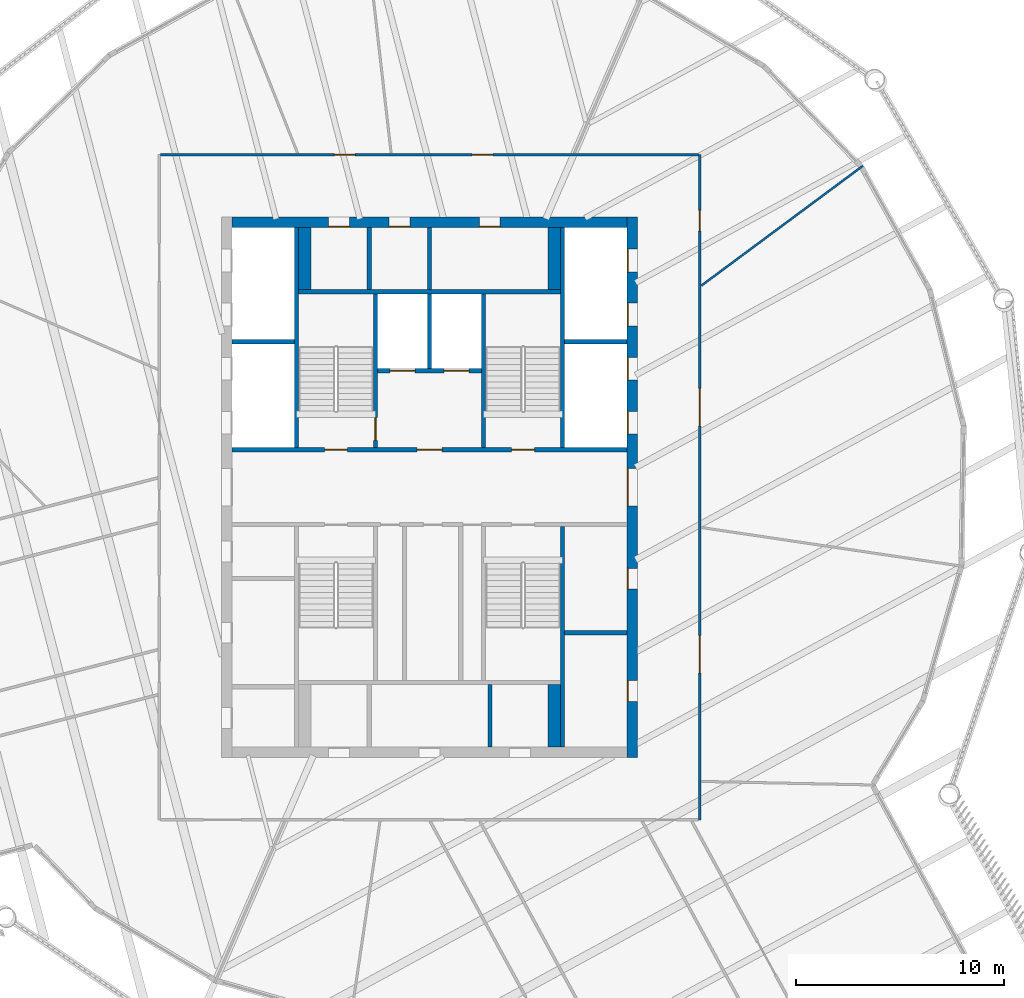
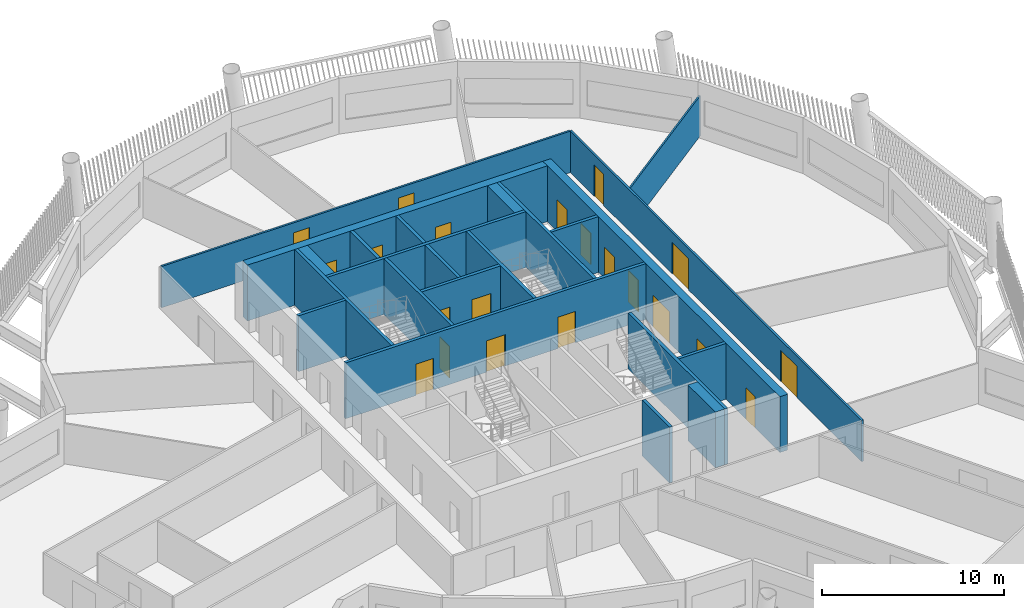
# One storey, part 5 of 14: 23 walls, 21 doors, 21 openings.
"""IFC4 building model written with IfcOpenShell, lengths in metres."""

from ifc_helpers import new_model, si_unit, direction, frame, frame_2d, origin, place, context, subcontext, project, spatial, rectangle, extrude, material, layer, layer_set, type_object, element, fill, save


model = new_model("IFC4")

# Units and contexts
model_context = context("Model", 3, precision=1e-05, world=origin(), true_north=direction((0.0, 1.0)))
body_context = subcontext(model_context, "Body", "Model", "MODEL_VIEW")
ifc_project = project(units=[si_unit("LENGTHUNIT", "METRE"), si_unit("AREAUNIT", "SQUARE_METRE"), si_unit("VOLUMEUNIT", "CUBIC_METRE"), si_unit("PLANEANGLEUNIT", "RADIAN"), si_unit("MASSUNIT", "GRAM", prefix="KILO")], contexts=[model_context])

# Site, building, storey
site_placement = place(None, origin())
site = spatial("IfcSite", under=ifc_project, at=site_placement, CompositionType="ELEMENT")
building_placement = place(site_placement, origin())
building = spatial("IfcBuilding", under=site, at=building_placement, Name="Tarsis Ring Headquarters", CompositionType="ELEMENT")
storey_placement = place(building_placement, frame((0.0, 0.0, 343.10009765625)))
storey = spatial("IfcBuildingStorey", under=building, at=storey_placement, Name="L81", CompositionType="ELEMENT", Elevation=343.10009765625)

# Walls
ifc_material_1 = material(Name="Blockwork", Category="masonry")
ifc_layer_1 = layer(ifc_material_1, 0.199951171875)
ifc_layer_set_1 = layer_set([ifc_layer_1], Name="Core blockwork wall 200")
wall_type_1 = type_object("IfcWallType", Name="Core blockwork wall 200", PredefinedType="PARTITIONING", material=ifc_layer_set_1)
for number, where, z_axis, x_axis, name in (
    (1, (6.5, -7.0, 0.0), (0.0, 0.0, 1.0), (1.0, 0.0, 0.0), "Core partition ED2"),
    (2, (-2.89990234375, 9.5, 0.0), (0.0, 0.0, 1.0), (0.0, 1.0, 0.0), "Core partition ND1"),
    (3, (0.0, 9.5, 0.0), (0.0, 0.0, 1.0), (0.0, 1.0, 0.0), "Core partition ND2"),
    (4, (2.89990234375, -12.5, 0.0), (0.0, 0.0, 1.0), (0.0, 1.0, 0.0), "Core partition SD3"),
):
    element("IfcWall", number, at=place(storey_placement, frame(where, z_axis=z_axis, x_axis=x_axis)), inside=storey, type_object=wall_type_1, Name=name, PredefinedType="PARTITIONING", context=body_context, shape_type="SweptSolid", body=[
        extrude(rectangle(XDim=3.0, YDim=0.199951171875, at=frame_2d((1.5, 0.0))), origin(), (0.0, 0.0, 1.0), 3.739990234375),
    ])

# Wall, openings, doors
ifc_material_2 = material(Name="Concrete C50/60", Category="concrete")
ifc_layer_2 = layer(ifc_material_2, 0.5)
ifc_layer_set_2 = layer_set([ifc_layer_2], Name="Core wall 500 C50/60")
wall_type_2 = type_object("IfcWallType", Name="Core wall 500 C50/60", PredefinedType="SHEAR", material=ifc_layer_set_2)
wall_1_placement = place(storey_placement, frame((9.75, -13.0, 0.0), z_axis=(0.0, 0.0, 1.0), x_axis=(0.0, 1.0, 0.0)))
wall_1 = element("IfcWall", 5, at=wall_1_placement, inside=storey, type_object=wall_type_2, Name="Core wall OE", PredefinedType="SHEAR", context=body_context, shape_type="SweptSolid", body=[
    extrude(rectangle(XDim=26.0, YDim=0.5, at=frame_2d((13.0, 0.0))), origin(), (0.0, 0.0, 1.0), 3.739990234375),
])
opening_1_placement = place(wall_1_placement, frame((2.699951171875, 0.0, 0.0)))
opening_1 = element("IfcOpeningElement", 6, at=opening_1_placement, cuts=wall_1, Name="Opening L81-C09", PredefinedType="OPENING", context=body_context, shape_type="SweptSolid", body=[
    extrude(rectangle(XDim=1.0, YDim=2.10009765625, at=frame_2d((0.5, 1.050048828125))), frame((0.0, 0.260009765625, 0.0), z_axis=(0.0, -1.0, 0.0), x_axis=(1.0, 0.0, 0.0)), (0.0, 0.0, 1.0), 0.52001953125),
])
opening_2_placement = place(wall_1_placement, frame((8.10009765625, 0.0, 0.0)))
opening_2 = element("IfcOpeningElement", 7, at=opening_2_placement, cuts=wall_1, Name="Opening L81-C10", PredefinedType="OPENING", context=body_context, shape_type="SweptSolid", body=[
    extrude(rectangle(XDim=1.0, YDim=2.10009765625, at=frame_2d((0.5, 1.050048828125))), frame((0.0, 0.260009765625, 0.0), z_axis=(0.0, -1.0, 0.0), x_axis=(1.0, 0.0, 0.0)), (0.0, 0.0, 1.0), 0.52001953125),
])
opening_3_placement = place(wall_1_placement, frame((12.10009765625, 0.0, 0.0)))
opening_3 = element("IfcOpeningElement", 8, at=opening_3_placement, cuts=wall_1, Name="Opening L81-C11", PredefinedType="OPENING", context=body_context, shape_type="SweptSolid", body=[
    extrude(rectangle(XDim=1.800048828125, YDim=2.10009765625, at=frame_2d((0.89990234375, 1.050048828125))), frame((0.0, 0.260009765625, 0.0), z_axis=(0.0, -1.0, 0.0), x_axis=(1.0, 0.0, 0.0)), (0.0, 0.0, 1.0), 0.52001953125),
])
opening_4_placement = place(wall_1_placement, frame((15.550048828125, 0.0, 0.0)))
opening_4 = element("IfcOpeningElement", 9, at=opening_4_placement, cuts=wall_1, Name="Opening LD-HR5", PredefinedType="OPENING", context=body_context, shape_type="SweptSolid", body=[
    extrude(rectangle(XDim=1.10009765625, YDim=2.10009765625, at=frame_2d((0.550048828125, 1.050048828125))), frame((0.0, 0.260009765625, 0.0), z_axis=(0.0, -1.0, 0.0), x_axis=(1.0, 0.0, 0.0)), (0.0, 0.0, 1.0), 0.52001953125),
])
opening_5_placement = place(wall_1_placement, frame((18.14990234375, 0.0, 0.0)))
opening_5 = element("IfcOpeningElement", 10, at=opening_5_placement, cuts=wall_1, Name="Opening LD-HR6", PredefinedType="OPENING", context=body_context, shape_type="SweptSolid", body=[
    extrude(rectangle(XDim=1.10009765625, YDim=2.10009765625, at=frame_2d((0.550048828125, 1.050048828125))), frame((0.0, 0.260009765625, 0.0), z_axis=(0.0, -1.0, 0.0), x_axis=(1.0, 0.0, 0.0)), (0.0, 0.0, 1.0), 0.52001953125),
])
opening_6_placement = place(wall_1_placement, frame((20.75, 0.0, 0.0)))
opening_6 = element("IfcOpeningElement", 11, at=opening_6_placement, cuts=wall_1, Name="Opening LD-HR7", PredefinedType="OPENING", context=body_context, shape_type="SweptSolid", body=[
    extrude(rectangle(XDim=1.10009765625, YDim=2.10009765625, at=frame_2d((0.550048828125, 1.050048828125))), frame((0.0, 0.260009765625, 0.0), z_axis=(0.0, -1.0, 0.0), x_axis=(1.0, 0.0, 0.0)), (0.0, 0.0, 1.0), 0.52001953125),
])
opening_7_placement = place(wall_1_placement, frame((23.35009765625, 0.0, 0.0)))
opening_7 = element("IfcOpeningElement", 12, at=opening_7_placement, cuts=wall_1, Name="Opening LD-HR8", PredefinedType="OPENING", context=body_context, shape_type="SweptSolid", body=[
    extrude(rectangle(XDim=1.10009765625, YDim=2.10009765625, at=frame_2d((0.550048828125, 1.050048828125))), frame((0.0, 0.260009765625, 0.0), z_axis=(0.0, -1.0, 0.0), x_axis=(1.0, 0.0, 0.0)), (0.0, 0.0, 1.0), 0.52001953125),
])
ifc_material_3 = material(Name="Steel S355", Category="steel")
door_type_1 = type_object("IfcDoorType", Name="Core entry door 1800x2100", OperationType="DOUBLE_DOOR_SINGLE_SWING", PredefinedType="DOOR", material=ifc_material_3)
door_1_placement = place(opening_3_placement, origin())
door_1 = element("IfcDoor", 13, at=door_1_placement, inside=storey, type_object=door_type_1, Name="Core entry door L81", OperationType="DOUBLE_DOOR_SINGLE_SWING", OverallHeight=2.10009765625, OverallWidth=1.800048828125, PredefinedType="DOOR", context=body_context, shape_type="SweptSolid", body=[
    extrude(rectangle(XDim=1.800048828125, YDim=2.10009765625, at=frame_2d((0.89990234375, 1.050048828125))), frame((0.0, 0.25, 0.0), z_axis=(0.0, -1.0, 0.0), x_axis=(1.0, 0.0, 0.0)), (0.0, 0.0, 1.0), 0.050048828125),
])
fill(opening_3, door_1)
door_type_2 = type_object("IfcDoorType", Name="Core room door 1000x2100", OperationType="SINGLE_SWING_LEFT", PredefinedType="DOOR", material=ifc_material_3)
door_2_placement = place(opening_1_placement, origin())
door_2 = element("IfcDoor", 14, at=door_2_placement, inside=storey, type_object=door_type_2, Name="Core room door L81", OperationType="SINGLE_SWING_LEFT", OverallHeight=2.10009765625, OverallWidth=1.0, PredefinedType="DOOR", context=body_context, shape_type="SweptSolid", body=[
    extrude(rectangle(XDim=1.0, YDim=2.10009765625, at=frame_2d((0.5, 1.050048828125))), frame((0.0, 0.25, 0.0), z_axis=(0.0, -1.0, 0.0), x_axis=(1.0, 0.0, 0.0)), (0.0, 0.0, 1.0), 0.050048828125),
])
fill(opening_1, door_2)
door_3_placement = place(opening_2_placement, origin())
door_3 = element("IfcDoor", 15, at=door_3_placement, inside=storey, type_object=door_type_2, Name="Core room door L81", OperationType="SINGLE_SWING_LEFT", OverallHeight=2.10009765625, OverallWidth=1.0, PredefinedType="DOOR", context=body_context, shape_type="SweptSolid", body=[
    extrude(rectangle(XDim=1.0, YDim=2.10009765625, at=frame_2d((0.5, 1.050048828125))), frame((0.0, 0.25, 0.0), z_axis=(0.0, -1.0, 0.0), x_axis=(1.0, 0.0, 0.0)), (0.0, 0.0, 1.0), 0.050048828125),
])
fill(opening_2, door_3)
door_type_3 = type_object("IfcDoorType", Name="Landing door 1100x2100", OperationType="SLIDING_TO_LEFT", PredefinedType="DOOR", material=ifc_material_3)
door_4_placement = place(opening_4_placement, origin())
door_4 = element("IfcDoor", 16, at=door_4_placement, inside=storey, type_object=door_type_3, Name="Landing door HR5 L81", OperationType="SLIDING_TO_LEFT", OverallHeight=2.10009765625, OverallWidth=1.10009765625, PredefinedType="DOOR", context=body_context, shape_type="SweptSolid", body=[
    extrude(rectangle(XDim=1.10009765625, YDim=2.10009765625, at=frame_2d((0.550048828125, 1.050048828125))), frame((0.0, 0.25, 0.0), z_axis=(0.0, -1.0, 0.0), x_axis=(1.0, 0.0, 0.0)), (0.0, 0.0, 1.0), 0.050048828125),
])
fill(opening_4, door_4)
door_5_placement = place(opening_5_placement, origin())
door_5 = element("IfcDoor", 17, at=door_5_placement, inside=storey, type_object=door_type_3, Name="Landing door HR6 L81", OperationType="SLIDING_TO_LEFT", OverallHeight=2.10009765625, OverallWidth=1.10009765625, PredefinedType="DOOR", context=body_context, shape_type="SweptSolid", body=[
    extrude(rectangle(XDim=1.10009765625, YDim=2.10009765625, at=frame_2d((0.550048828125, 1.050048828125))), frame((0.0, 0.25, 0.0), z_axis=(0.0, -1.0, 0.0), x_axis=(1.0, 0.0, 0.0)), (0.0, 0.0, 1.0), 0.050048828125),
])
fill(opening_5, door_5)
door_6_placement = place(opening_6_placement, origin())
door_6 = element("IfcDoor", 18, at=door_6_placement, inside=storey, type_object=door_type_3, Name="Landing door HR7 L81", OperationType="SLIDING_TO_LEFT", OverallHeight=2.10009765625, OverallWidth=1.10009765625, PredefinedType="DOOR", context=body_context, shape_type="SweptSolid", body=[
    extrude(rectangle(XDim=1.10009765625, YDim=2.10009765625, at=frame_2d((0.550048828125, 1.050048828125))), frame((0.0, 0.25, 0.0), z_axis=(0.0, -1.0, 0.0), x_axis=(1.0, 0.0, 0.0)), (0.0, 0.0, 1.0), 0.050048828125),
])
fill(opening_6, door_6)
door_7_placement = place(opening_7_placement, origin())
door_7 = element("IfcDoor", 19, at=door_7_placement, inside=storey, type_object=door_type_3, Name="Landing door HR8 L81", OperationType="SLIDING_TO_LEFT", OverallHeight=2.10009765625, OverallWidth=1.10009765625, PredefinedType="DOOR", context=body_context, shape_type="SweptSolid", body=[
    extrude(rectangle(XDim=1.10009765625, YDim=2.10009765625, at=frame_2d((0.550048828125, 1.050048828125))), frame((0.0, 0.25, 0.0), z_axis=(0.0, -1.0, 0.0), x_axis=(1.0, 0.0, 0.0)), (0.0, 0.0, 1.0), 0.050048828125),
])
fill(opening_7, door_7)

wall_2_placement = place(storey_placement, frame((-9.5, 12.75, 0.0), z_axis=(0.0, 0.0, 1.0), x_axis=(1.0, 0.0, 0.0)))
wall_2 = element("IfcWall", 20, at=wall_2_placement, inside=storey, type_object=wall_type_2, Name="Core wall ON", PredefinedType="SHEAR", context=body_context, shape_type="SweptSolid", body=[
    extrude(rectangle(XDim=19.0, YDim=0.5, at=frame_2d((9.5, 0.0))), origin(), (0.0, 0.0, 1.0), 3.739990234375),
])
opening_8_placement = place(wall_2_placement, frame((4.64990234375, 0.0, 0.0)))
opening_8 = element("IfcOpeningElement", 21, at=opening_8_placement, cuts=wall_2, Name="Opening L81-C16", PredefinedType="OPENING", context=body_context, shape_type="SweptSolid", body=[
    extrude(rectangle(XDim=1.0, YDim=2.10009765625, at=frame_2d((0.5, 1.050048828125))), frame((0.0, 0.260009765625, 0.0), z_axis=(0.0, -1.0, 0.0), x_axis=(1.0, 0.0, 0.0)), (0.0, 0.0, 1.0), 0.52001953125),
])
opening_9_placement = place(wall_2_placement, frame((7.550048828125, 0.0, 0.0)))
opening_9 = element("IfcOpeningElement", 22, at=opening_9_placement, cuts=wall_2, Name="Opening L81-C17", PredefinedType="OPENING", context=body_context, shape_type="SweptSolid", body=[
    extrude(rectangle(XDim=1.0, YDim=2.10009765625, at=frame_2d((0.5, 1.050048828125))), frame((0.0, 0.260009765625, 0.0), z_axis=(0.0, -1.0, 0.0), x_axis=(1.0, 0.0, 0.0)), (0.0, 0.0, 1.0), 0.52001953125),
])
opening_10_placement = place(wall_2_placement, frame((11.89990234375, 0.0, 0.0)))
opening_10 = element("IfcOpeningElement", 23, at=opening_10_placement, cuts=wall_2, Name="Opening L81-C18", PredefinedType="OPENING", context=body_context, shape_type="SweptSolid", body=[
    extrude(rectangle(XDim=1.0, YDim=2.10009765625, at=frame_2d((0.5, 1.050048828125))), frame((0.0, 0.260009765625, 0.0), z_axis=(0.0, -1.0, 0.0), x_axis=(1.0, 0.0, 0.0)), (0.0, 0.0, 1.0), 0.52001953125),
])
door_8_placement = place(opening_8_placement, origin())
door_8 = element("IfcDoor", 24, at=door_8_placement, inside=storey, type_object=door_type_2, Name="Core room door L81", OperationType="SINGLE_SWING_LEFT", OverallHeight=2.10009765625, OverallWidth=1.0, PredefinedType="DOOR", context=body_context, shape_type="SweptSolid", body=[
    extrude(rectangle(XDim=1.0, YDim=2.10009765625, at=frame_2d((0.5, 1.050048828125))), frame((0.0, -0.2001953125, 0.0), z_axis=(0.0, -1.0, 0.0), x_axis=(1.0, 0.0, 0.0)), (0.0, 0.0, 1.0), 0.050048828125),
])
fill(opening_8, door_8)
door_9_placement = place(opening_9_placement, origin())
door_9 = element("IfcDoor", 25, at=door_9_placement, inside=storey, type_object=door_type_2, Name="Core room door L81", OperationType="SINGLE_SWING_LEFT", OverallHeight=2.10009765625, OverallWidth=1.0, PredefinedType="DOOR", context=body_context, shape_type="SweptSolid", body=[
    extrude(rectangle(XDim=1.0, YDim=2.10009765625, at=frame_2d((0.5, 1.050048828125))), frame((0.0, -0.2001953125, 0.0), z_axis=(0.0, -1.0, 0.0), x_axis=(1.0, 0.0, 0.0)), (0.0, 0.0, 1.0), 0.050048828125),
])
fill(opening_9, door_9)
door_10_placement = place(opening_10_placement, origin())
door_10 = element("IfcDoor", 26, at=door_10_placement, inside=storey, type_object=door_type_2, Name="Core room door L81", OperationType="SINGLE_SWING_LEFT", OverallHeight=2.10009765625, OverallWidth=1.0, PredefinedType="DOOR", context=body_context, shape_type="SweptSolid", body=[
    extrude(rectangle(XDim=1.0, YDim=2.10009765625, at=frame_2d((0.5, 1.050048828125))), frame((0.0, -0.2001953125, 0.0), z_axis=(0.0, -1.0, 0.0), x_axis=(1.0, 0.0, 0.0)), (0.0, 0.0, 1.0), 0.050048828125),
])
fill(opening_10, door_10)

# Wall
ifc_material_4 = material(Name="Gypsum board on steel studs", Category="steel")
ifc_layer_3 = layer(ifc_material_4, 0.10009765625)
ifc_layer_set_3 = layer_set([ifc_layer_3], Name="FL partition 100 unrated")
wall_type_3 = type_object("IfcWallType", Name="FL partition 100 unrated", PredefinedType="PARTITIONING", material=ifc_layer_set_3)
wall_3_placement = place(storey_placement, frame((13.080322265625, 9.7001953125, 0.0), z_axis=(0.0, 0.0, 1.0), x_axis=(0.803235283199, 0.59566188381, 0.0)))
element("IfcWall", 27, at=wall_3_placement, inside=storey, type_object=wall_type_3, Name="Partition PW3", PredefinedType="PARTITIONING", context=body_context, shape_type="SweptSolid", body=[
    extrude(rectangle(XDim=9.663330078125, YDim=0.10009765625, at=frame_2d((4.83154296875, 0.0))), origin(), (0.0, 0.0, 1.0), 2.699951171875),
])

# Wall, openings, doors
ifc_layer_4 = layer(ifc_material_4, 0.125)
ifc_layer_set_4 = layer_set([ifc_layer_4], Name="FL partition 125 EI 60 H2770")
wall_type_4 = type_object("IfcWallType", Name="FL partition 125 EI 60 H2770", PredefinedType="PARTITIONING", material=ifc_layer_set_4)
wall_4_placement = place(storey_placement, frame((13.0, -16.0, 0.0), z_axis=(0.0, 0.0, 1.0), x_axis=(0.0, 1.0, 0.0)))
wall_4 = element("IfcWall", 28, at=wall_4_placement, inside=storey, type_object=wall_type_4, Name="Partition PW1", PredefinedType="PARTITIONING", context=body_context, shape_type="SweptSolid", body=[
    extrude(rectangle(XDim=32.0, YDim=0.125, at=frame_2d((16.0, 0.0))), origin(), (0.0, 0.0, 1.0), 2.77001953125),
])
opening_11_placement = place(wall_4_placement, frame((28.3203125, 0.0, 0.0)))
opening_11 = element("IfcOpeningElement", 29, at=opening_11_placement, cuts=wall_4, Name="Opening D81.07", PredefinedType="OPENING", context=body_context, shape_type="SweptSolid", body=[
    extrude(rectangle(XDim=1.0, YDim=2.10009765625, at=frame_2d((0.5, 1.050048828125))), frame((0.0, 0.072509765625, 0.0), z_axis=(0.0, -1.0, 0.0), x_axis=(1.0, 0.0, 0.0)), (0.0, 0.0, 1.0), 0.14501953125),
])
opening_12_placement = place(wall_4_placement, frame((18.955810546875, 0.0, 0.0)))
opening_12 = element("IfcOpeningElement", 30, at=opening_12_placement, cuts=wall_4, Name="Opening D81.08", PredefinedType="OPENING", context=body_context, shape_type="SweptSolid", body=[
    extrude(rectangle(XDim=1.800048828125, YDim=2.10009765625, at=frame_2d((0.89990234375, 1.050048828125))), frame((0.0, 0.072509765625, 0.0), z_axis=(0.0, -1.0, 0.0), x_axis=(1.0, 0.0, 0.0)), (0.0, 0.0, 1.0), 0.14501953125),
])
opening_13_placement = place(wall_4_placement, frame((7.0576171875, 0.0, 0.0)))
opening_13 = element("IfcOpeningElement", 31, at=opening_13_placement, cuts=wall_4, Name="Opening D81.09", PredefinedType="OPENING", context=body_context, shape_type="SweptSolid", body=[
    extrude(rectangle(XDim=1.800048828125, YDim=2.10009765625, at=frame_2d((0.89990234375, 1.050048828125))), frame((0.0, 0.072509765625, 0.0), z_axis=(0.0, -1.0, 0.0), x_axis=(1.0, 0.0, 0.0)), (0.0, 0.0, 1.0), 0.14501953125),
])
ifc_material_5 = material(Name="Fire-rated timber door leaf in steel frame", Category="steel")
door_type_4 = type_object("IfcDoorType", Name="FL door FD60-1000", OperationType="NOTDEFINED", PredefinedType="DOOR", material=ifc_material_5)
door_11_placement = place(opening_11_placement, origin())
door_11 = element("IfcDoor", 32, at=door_11_placement, inside=storey, type_object=door_type_4, Name="Door D81.07", OperationType="SINGLE_SWING_RIGHT", OverallHeight=2.10009765625, OverallWidth=1.0, PredefinedType="DOOR", context=body_context, shape_type="SweptSolid", body=[
    extrude(rectangle(XDim=1.0, YDim=2.10009765625, at=frame_2d((0.5, 1.050048828125))), frame((0.0, 0.02490234375, 0.0), z_axis=(0.0, -1.0, 0.0), x_axis=(1.0, 0.0, 0.0)), (0.0, 0.0, 1.0), 0.050048828125),
])
fill(opening_11, door_11)
door_type_5 = type_object("IfcDoorType", Name="FL door FD60-1800", OperationType="DOUBLE_DOOR_SINGLE_SWING", PredefinedType="DOOR", material=ifc_material_5)
door_12_placement = place(opening_12_placement, origin())
door_12 = element("IfcDoor", 33, at=door_12_placement, inside=storey, type_object=door_type_5, Name="Door D81.08", OperationType="DOUBLE_DOOR_SINGLE_SWING", OverallHeight=2.10009765625, OverallWidth=1.800048828125, PredefinedType="DOOR", context=body_context, shape_type="SweptSolid", body=[
    extrude(rectangle(XDim=1.800048828125, YDim=2.10009765625, at=frame_2d((0.89990234375, 1.050048828125))), frame((0.0, 0.02490234375, 0.0), z_axis=(0.0, -1.0, 0.0), x_axis=(1.0, 0.0, 0.0)), (0.0, 0.0, 1.0), 0.050048828125),
])
fill(opening_12, door_12)
door_13_placement = place(opening_13_placement, origin())
door_13 = element("IfcDoor", 34, at=door_13_placement, inside=storey, type_object=door_type_5, Name="Door D81.09", OperationType="DOUBLE_DOOR_SINGLE_SWING", OverallHeight=2.10009765625, OverallWidth=1.800048828125, PredefinedType="DOOR", context=body_context, shape_type="SweptSolid", body=[
    extrude(rectangle(XDim=1.800048828125, YDim=2.10009765625, at=frame_2d((0.89990234375, 1.050048828125))), frame((0.0, 0.02490234375, 0.0), z_axis=(0.0, -1.0, 0.0), x_axis=(1.0, 0.0, 0.0)), (0.0, 0.0, 1.0), 0.050048828125),
])
fill(opening_13, door_13)

wall_5_placement = place(storey_placement, frame((-12.93994140625, 16.0, 0.0), z_axis=(0.0, 0.0, 1.0), x_axis=(1.0, 0.0, 0.0)))
wall_5 = element("IfcWall", 35, at=wall_5_placement, inside=storey, type_object=wall_type_4, Name="Partition PW1", PredefinedType="PARTITIONING", context=body_context, shape_type="SweptSolid", body=[
    extrude(rectangle(XDim=25.8798828125, YDim=0.125, at=frame_2d((12.93994140625, 0.0))), origin(), (0.0, 0.0, 1.0), 2.77001953125),
])
opening_14_placement = place(wall_5_placement, frame((8.359130859375, 0.0, 0.0)))
opening_14 = element("IfcOpeningElement", 36, at=opening_14_placement, cuts=wall_5, Name="Opening D81.05", PredefinedType="OPENING", context=body_context, shape_type="SweptSolid", body=[
    extrude(rectangle(XDim=1.0, YDim=2.10009765625, at=frame_2d((0.5, 1.050048828125))), frame((0.0, 0.072509765625, 0.0), z_axis=(0.0, -1.0, 0.0), x_axis=(1.0, 0.0, 0.0)), (0.0, 0.0, 1.0), 0.14501953125),
])
opening_15_placement = place(wall_5_placement, frame((14.988525390625, 0.0, 0.0)))
opening_15 = element("IfcOpeningElement", 37, at=opening_15_placement, cuts=wall_5, Name="Opening D81.06", PredefinedType="OPENING", context=body_context, shape_type="SweptSolid", body=[
    extrude(rectangle(XDim=1.0, YDim=2.10009765625, at=frame_2d((0.5, 1.050048828125))), frame((0.0, 0.072509765625, 0.0), z_axis=(0.0, -1.0, 0.0), x_axis=(1.0, 0.0, 0.0)), (0.0, 0.0, 1.0), 0.14501953125),
])
door_14_placement = place(opening_14_placement, origin())
door_14 = element("IfcDoor", 38, at=door_14_placement, inside=storey, type_object=door_type_4, Name="Door D81.05", OperationType="SINGLE_SWING_RIGHT", OverallHeight=2.10009765625, OverallWidth=1.0, PredefinedType="DOOR", context=body_context, shape_type="SweptSolid", body=[
    extrude(rectangle(XDim=1.0, YDim=2.10009765625, at=frame_2d((0.5, 1.050048828125))), frame((0.0, 0.02490234375, 0.0), z_axis=(0.0, -1.0, 0.0), x_axis=(1.0, 0.0, 0.0)), (0.0, 0.0, 1.0), 0.050048828125),
])
fill(opening_14, door_14)
door_15_placement = place(opening_15_placement, origin())
door_15 = element("IfcDoor", 39, at=door_15_placement, inside=storey, type_object=door_type_4, Name="Door D81.06", OperationType="SINGLE_SWING_LEFT", OverallHeight=2.10009765625, OverallWidth=1.0, PredefinedType="DOOR", context=body_context, shape_type="SweptSolid", body=[
    extrude(rectangle(XDim=1.0, YDim=2.10009765625, at=frame_2d((0.5, 1.050048828125))), frame((0.0, 0.02490234375, 0.0), z_axis=(0.0, -1.0, 0.0), x_axis=(1.0, 0.0, 0.0)), (0.0, 0.0, 1.0), 0.050048828125),
])
fill(opening_15, door_15)

# Walls
ifc_material_6 = material(Name="Concrete C32/40", Category="concrete")
ifc_layer_5 = layer(ifc_material_6, 0.60009765625)
ifc_layer_set_5 = layer_set([ifc_layer_5], Name="Shaft end wall 600 C32/40")
wall_type_5 = type_object("IfcWallType", Name="Shaft end wall 600 C32/40", PredefinedType="SOLIDWALL", material=ifc_layer_set_5)
for number, where, z_axis, x_axis, name in (
    (40, (-6.0, 9.5, 0.0), (0.0, 0.0, 1.0), (0.0, 1.0, 0.0), "Core shaft wall NNE1"),
    (41, (6.0, 9.5, 0.0), (0.0, 0.0, 1.0), (0.0, 1.0, 0.0), "Core shaft wall NNE2"),
    (42, (6.0, -12.5, 0.0), (0.0, 0.0, 1.0), (0.0, 1.0, 0.0), "Core shaft wall SNE2"),
):
    element("IfcWall", number, at=place(storey_placement, frame(where, z_axis=z_axis, x_axis=x_axis)), inside=storey, type_object=wall_type_5, Name=name, PredefinedType="SOLIDWALL", context=body_context, shape_type="SweptSolid", body=[
        extrude(rectangle(XDim=3.0, YDim=0.60009765625, at=frame_2d((1.5, 0.0))), origin(), (0.0, 0.0, 1.0), 3.739990234375),
    ])

# Wall, openings, doors
ifc_layer_6 = layer(ifc_material_6, 0.199951171875)
ifc_layer_set_6 = layer_set([ifc_layer_6], Name="Shaft wall 200 C32/40")
wall_type_6 = type_object("IfcWallType", Name="Shaft wall 200 C32/40", PredefinedType="SOLIDWALL", material=ifc_layer_set_6)
wall_6_placement = place(storey_placement, frame((-9.5, 1.800048828125, 0.0), z_axis=(0.0, 0.0, 1.0), x_axis=(1.0, 0.0, 0.0)))
wall_6 = element("IfcWall", 43, at=wall_6_placement, inside=storey, type_object=wall_type_6, Name="Core shaft wall CN", PredefinedType="SOLIDWALL", context=body_context, shape_type="SweptSolid", body=[
    extrude(rectangle(XDim=19.0, YDim=0.199951171875, at=frame_2d((9.5, 0.0))), origin(), (0.0, 0.0, 1.0), 3.739990234375),
])
opening_16_placement = place(wall_6_placement, frame((4.449951171875, 0.0, 0.0)))
opening_16 = element("IfcOpeningElement", 44, at=opening_16_placement, cuts=wall_6, Name="Opening L81-C22", PredefinedType="OPENING", context=body_context, shape_type="SweptSolid", body=[
    extrude(rectangle(XDim=1.10009765625, YDim=2.10009765625, at=frame_2d((0.550048828125, 1.050048828125))), frame((0.0, 0.10986328125, 0.0), z_axis=(0.0, -1.0, 0.0), x_axis=(1.0, 0.0, 0.0)), (0.0, 0.0, 1.0), 0.219970703125),
])
opening_17_placement = place(wall_6_placement, frame((8.89990234375, 0.0, 0.0)))
opening_17 = element("IfcOpeningElement", 45, at=opening_17_placement, cuts=wall_6, Name="Opening L81-C23", PredefinedType="OPENING", context=body_context, shape_type="SweptSolid", body=[
    extrude(rectangle(XDim=1.199951171875, YDim=2.10009765625, at=frame_2d((0.60009765625, 1.050048828125))), frame((0.0, 0.10986328125, 0.0), z_axis=(0.0, -1.0, 0.0), x_axis=(1.0, 0.0, 0.0)), (0.0, 0.0, 1.0), 0.219970703125),
])
opening_18_placement = place(wall_6_placement, frame((13.449951171875, 0.0, 0.0)))
opening_18 = element("IfcOpeningElement", 46, at=opening_18_placement, cuts=wall_6, Name="Opening L81-C24", PredefinedType="OPENING", context=body_context, shape_type="SweptSolid", body=[
    extrude(rectangle(XDim=1.10009765625, YDim=2.10009765625, at=frame_2d((0.550048828125, 1.050048828125))), frame((0.0, 0.10986328125, 0.0), z_axis=(0.0, -1.0, 0.0), x_axis=(1.0, 0.0, 0.0)), (0.0, 0.0, 1.0), 0.219970703125),
])
door_type_6 = type_object("IfcDoorType", Name="Firefighting lobby door 1200x2100", OperationType="DOUBLE_DOOR_SINGLE_SWING", PredefinedType="DOOR", material=ifc_material_3)
door_16_placement = place(opening_17_placement, origin())
door_16 = element("IfcDoor", 47, at=door_16_placement, inside=storey, type_object=door_type_6, Name="Firefighting lobby door L81", OperationType="DOUBLE_DOOR_SINGLE_SWING", OverallHeight=2.10009765625, OverallWidth=1.199951171875, PredefinedType="DOOR", context=body_context, shape_type="SweptSolid", body=[
    extrude(rectangle(XDim=1.199951171875, YDim=2.10009765625, at=frame_2d((0.60009765625, 1.050048828125))), frame((0.0, 0.02490234375, 0.0), z_axis=(0.0, -1.0, 0.0), x_axis=(1.0, 0.0, 0.0)), (0.0, 0.0, 1.0), 0.050048828125),
])
fill(opening_17, door_16)
door_type_7 = type_object("IfcDoorType", Name="Stair door 1100x2100", OperationType="SINGLE_SWING_LEFT", PredefinedType="DOOR", material=ifc_material_3)
door_17_placement = place(opening_16_placement, origin())
door_17 = element("IfcDoor", 48, at=door_17_placement, inside=storey, type_object=door_type_7, Name="Stair door L81", OperationType="SINGLE_SWING_LEFT", OverallHeight=2.10009765625, OverallWidth=1.10009765625, PredefinedType="DOOR", context=body_context, shape_type="SweptSolid", body=[
    extrude(rectangle(XDim=1.10009765625, YDim=2.10009765625, at=frame_2d((0.550048828125, 1.050048828125))), frame((0.0, 0.02490234375, 0.0), z_axis=(0.0, -1.0, 0.0), x_axis=(1.0, 0.0, 0.0)), (0.0, 0.0, 1.0), 0.050048828125),
])
fill(opening_16, door_17)
door_18_placement = place(opening_18_placement, origin())
door_18 = element("IfcDoor", 49, at=door_18_placement, inside=storey, type_object=door_type_7, Name="Stair door L81", OperationType="SINGLE_SWING_LEFT", OverallHeight=2.10009765625, OverallWidth=1.10009765625, PredefinedType="DOOR", context=body_context, shape_type="SweptSolid", body=[
    extrude(rectangle(XDim=1.10009765625, YDim=2.10009765625, at=frame_2d((0.550048828125, 1.050048828125))), frame((0.0, 0.02490234375, 0.0), z_axis=(0.0, -1.0, 0.0), x_axis=(1.0, 0.0, 0.0)), (0.0, 0.0, 1.0), 0.050048828125),
])
fill(opening_18, door_18)

# Walls
for number, where, z_axis, x_axis, name in (
    (50, (-6.39990234375, 1.89990234375, 0.0), (0.0, 0.0, 1.0), (0.0, 1.0, 0.0), "Core shaft wall WB2"),
    (51, (6.39990234375, -12.5, 0.0), (0.0, 0.0, 1.0), (0.0, 1.0, 0.0), "Core shaft wall EB1"),
    (52, (6.39990234375, 1.89990234375, 0.0), (0.0, 0.0, 1.0), (0.0, 1.0, 0.0), "Core shaft wall EB2"),
):
    element("IfcWall", number, at=place(storey_placement, frame(where, z_axis=z_axis, x_axis=x_axis)), inside=storey, type_object=wall_type_6, Name=name, PredefinedType="SOLIDWALL", context=body_context, shape_type="SweptSolid", body=[
        extrude(rectangle(XDim=10.60009765625, YDim=0.199951171875, at=frame_2d((5.300048828125, 0.0))), origin(), (0.0, 0.0, 1.0), 3.739990234375),
    ])
wall_7_placement = place(storey_placement, frame((-6.300048828125, 9.39990234375, 0.0), z_axis=(0.0, 0.0, 1.0), x_axis=(1.0, 0.0, 0.0)))
element("IfcWall", 53, at=wall_7_placement, inside=storey, type_object=wall_type_6, Name="Core shaft wall NB", PredefinedType="SOLIDWALL", context=body_context, shape_type="SweptSolid", body=[
    extrude(rectangle(XDim=12.60009765625, YDim=0.199951171875, at=frame_2d((6.300048828125, 0.0))), origin(), (0.0, 0.0, 1.0), 3.739990234375),
])

# Wall, opening, door
wall_8_placement = place(storey_placement, frame((-2.60009765625, 1.89990234375, 0.0), z_axis=(0.0, 0.0, 1.0), x_axis=(0.0, 1.0, 0.0)))
wall_8 = element("IfcWall", 54, at=wall_8_placement, inside=storey, type_object=wall_type_6, Name="Core shaft wall SW1", PredefinedType="SOLIDWALL", context=body_context, shape_type="SweptSolid", body=[
    extrude(rectangle(XDim=7.400146484375, YDim=0.199951171875, at=frame_2d((3.7001953125, 0.0))), origin(), (0.0, 0.0, 1.0), 3.739990234375),
])
opening_19_placement = place(wall_8_placement, frame((0.35009765625, 0.0, 0.0)))
opening_19 = element("IfcOpeningElement", 55, at=opening_19_placement, cuts=wall_8, Name="Opening L81-C30", PredefinedType="OPENING", context=body_context, shape_type="SweptSolid", body=[
    extrude(rectangle(XDim=1.10009765625, YDim=2.10009765625, at=frame_2d((0.550048828125, 1.050048828125))), frame((0.0, 0.10986328125, 0.0), z_axis=(0.0, -1.0, 0.0), x_axis=(1.0, 0.0, 0.0)), (0.0, 0.0, 1.0), 0.219970703125),
])
door_19_placement = place(opening_19_placement, origin())
door_19 = element("IfcDoor", 56, at=door_19_placement, inside=storey, type_object=door_type_7, Name="Stair door L81", OperationType="SINGLE_SWING_LEFT", OverallHeight=2.10009765625, OverallWidth=1.10009765625, PredefinedType="DOOR", context=body_context, shape_type="SweptSolid", body=[
    extrude(rectangle(XDim=1.10009765625, YDim=2.10009765625, at=frame_2d((0.550048828125, 1.050048828125))), frame((0.0, 0.02490234375, 0.0), z_axis=(0.0, -1.0, 0.0), x_axis=(1.0, 0.0, 0.0)), (0.0, 0.0, 1.0), 0.050048828125),
])
fill(opening_19, door_19)

# Wall
wall_9_placement = place(storey_placement, frame((2.60009765625, 1.89990234375, 0.0), z_axis=(0.0, 0.0, 1.0), x_axis=(0.0, 1.0, 0.0)))
element("IfcWall", 57, at=wall_9_placement, inside=storey, type_object=wall_type_6, Name="Core shaft wall SW2", PredefinedType="SOLIDWALL", context=body_context, shape_type="SweptSolid", body=[
    extrude(rectangle(XDim=7.400146484375, YDim=0.199951171875, at=frame_2d((3.7001953125, 0.0))), origin(), (0.0, 0.0, 1.0), 3.739990234375),
])

# Wall, openings, doors
wall_10_placement = place(storey_placement, frame((-2.5, 5.60009765625, 0.0), z_axis=(0.0, 0.0, 1.0), x_axis=(1.0, 0.0, 0.0)))
wall_10 = element("IfcWall", 58, at=wall_10_placement, inside=storey, type_object=wall_type_6, Name="Core shaft wall FFN", PredefinedType="SOLIDWALL", context=body_context, shape_type="SweptSolid", body=[
    extrude(rectangle(XDim=5.0, YDim=0.199951171875, at=frame_2d((2.5, 0.0))), origin(), (0.0, 0.0, 1.0), 3.739990234375),
])
opening_20_placement = place(wall_10_placement, frame((0.60009765625, 0.0, 0.0)))
opening_20 = element("IfcOpeningElement", 59, at=opening_20_placement, cuts=wall_10, Name="Opening LDF-1", PredefinedType="OPENING", context=body_context, shape_type="SweptSolid", body=[
    extrude(rectangle(XDim=1.199951171875, YDim=2.10009765625, at=frame_2d((0.60009765625, 1.050048828125))), frame((0.0, 0.10986328125, 0.0), z_axis=(0.0, -1.0, 0.0), x_axis=(1.0, 0.0, 0.0)), (0.0, 0.0, 1.0), 0.219970703125),
])
opening_21_placement = place(wall_10_placement, frame((3.199951171875, 0.0, 0.0)))
opening_21 = element("IfcOpeningElement", 60, at=opening_21_placement, cuts=wall_10, Name="Opening LDF-2", PredefinedType="OPENING", context=body_context, shape_type="SweptSolid", body=[
    extrude(rectangle(XDim=1.199951171875, YDim=2.10009765625, at=frame_2d((0.60009765625, 1.050048828125))), frame((0.0, 0.10986328125, 0.0), z_axis=(0.0, -1.0, 0.0), x_axis=(1.0, 0.0, 0.0)), (0.0, 0.0, 1.0), 0.219970703125),
])
door_type_8 = type_object("IfcDoorType", Name="Firefighting landing door 1200x2100", OperationType="SLIDING_TO_LEFT", PredefinedType="DOOR", material=ifc_material_3)
door_20_placement = place(opening_20_placement, origin())
door_20 = element("IfcDoor", 61, at=door_20_placement, inside=storey, type_object=door_type_8, Name="Landing door FF1 L81", OperationType="SLIDING_TO_LEFT", OverallHeight=2.10009765625, OverallWidth=1.199951171875, PredefinedType="DOOR", context=body_context, shape_type="SweptSolid", body=[
    extrude(rectangle(XDim=1.199951171875, YDim=2.10009765625, at=frame_2d((0.60009765625, 1.050048828125))), frame((0.0, 0.02490234375, 0.0), z_axis=(0.0, -1.0, 0.0), x_axis=(1.0, 0.0, 0.0)), (0.0, 0.0, 1.0), 0.050048828125),
])
fill(opening_20, door_20)
door_21_placement = place(opening_21_placement, origin())
door_21 = element("IfcDoor", 62, at=door_21_placement, inside=storey, type_object=door_type_8, Name="Landing door FF2 L81", OperationType="SLIDING_TO_LEFT", OverallHeight=2.10009765625, OverallWidth=1.199951171875, PredefinedType="DOOR", context=body_context, shape_type="SweptSolid", body=[
    extrude(rectangle(XDim=1.199951171875, YDim=2.10009765625, at=frame_2d((0.60009765625, 1.050048828125))), frame((0.0, 0.02490234375, 0.0), z_axis=(0.0, -1.0, 0.0), x_axis=(1.0, 0.0, 0.0)), (0.0, 0.0, 1.0), 0.050048828125),
])
fill(opening_21, door_21)

# Walls
wall_11_placement = place(storey_placement, frame((0.0, 5.699951171875, 0.0), z_axis=(0.0, 0.0, 1.0), x_axis=(0.0, 1.0, 0.0)))
element("IfcWall", 63, at=wall_11_placement, inside=storey, type_object=wall_type_6, Name="Core shaft wall FFD", PredefinedType="SOLIDWALL", context=body_context, shape_type="SweptSolid", body=[
    extrude(rectangle(XDim=3.60009765625, YDim=0.199951171875, at=frame_2d((1.800048828125, 0.0))), origin(), (0.0, 0.0, 1.0), 3.739990234375),
])
for number, where, z_axis, x_axis, name in (
    (64, (-9.5, 7.0, 0.0), (0.0, 0.0, 1.0), (1.0, 0.0, 0.0), "Core shaft wall WD6"),
    (65, (6.5, 7.0, 0.0), (0.0, 0.0, 1.0), (1.0, 0.0, 0.0), "Core shaft wall ED6"),
):
    element("IfcWall", number, at=place(storey_placement, frame(where, z_axis=z_axis, x_axis=x_axis)), inside=storey, type_object=wall_type_6, Name=name, PredefinedType="SOLIDWALL", context=body_context, shape_type="SweptSolid", body=[
        extrude(rectangle(XDim=3.0, YDim=0.199951171875, at=frame_2d((1.5, 0.0))), origin(), (0.0, 0.0, 1.0), 3.739990234375),
    ])

save(model, "model.ifc")
